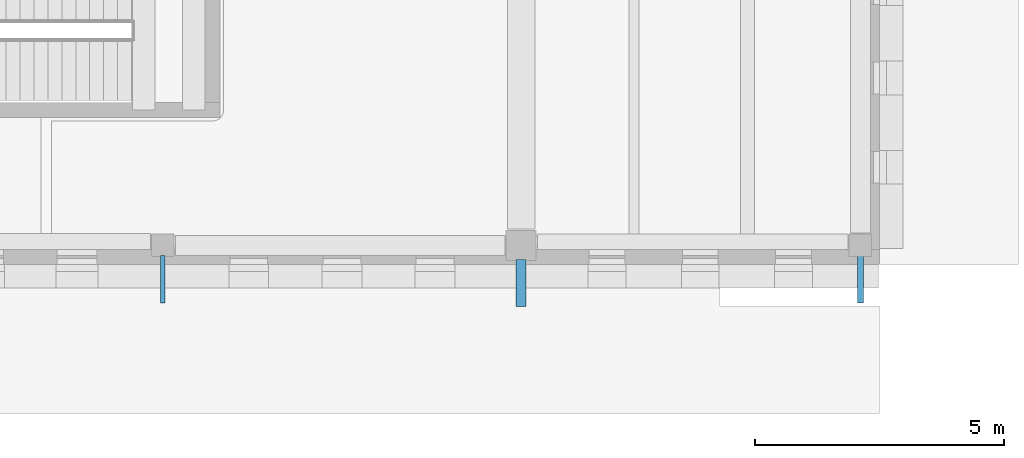
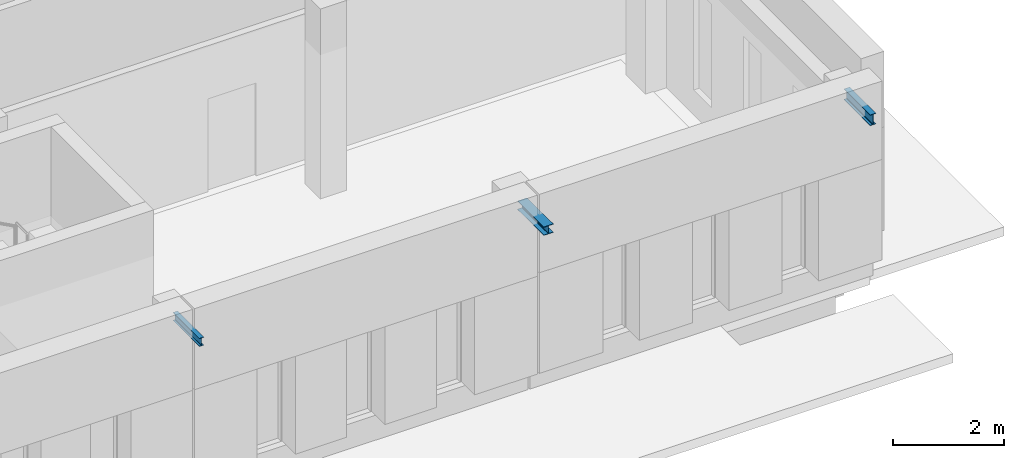
# One storey, part 36 of 77: 3 members.
"""IFC4 building model written with IfcOpenShell, lengths in metres."""

from ifc_helpers import new_model, si_unit, direction, frame, origin, origin_2d, place, context, subcontext, project, spatial, i_section, extrude, material, material_profile, profile_set, type_object, element, save


model = new_model("IFC4")

# Units and contexts
model_context = context("Model", 3, precision=1e-05, world=origin(), true_north=direction((0.0, 1.0)))
body_context = subcontext(model_context, "Body", "Model", "MODEL_VIEW")
ifc_project = project(units=[si_unit("LENGTHUNIT", "METRE"), si_unit("AREAUNIT", "SQUARE_METRE"), si_unit("VOLUMEUNIT", "CUBIC_METRE"), si_unit("PLANEANGLEUNIT", "RADIAN"), si_unit("MASSUNIT", "GRAM", prefix="KILO")], contexts=[model_context])

# Site, building, storey
site_placement = place(None, origin())
site = spatial("IfcSite", under=ifc_project, at=site_placement, CompositionType="ELEMENT")
building_placement = place(site_placement, origin())
building = spatial("IfcBuilding", under=site, at=building_placement, Name="Vardoun Plaza Health Centre", CompositionType="ELEMENT")
storey_placement = place(building_placement, origin())
storey = spatial("IfcBuildingStorey", under=building, at=storey_placement, Name="L00", CompositionType="ELEMENT", Elevation=0.0)

# Members
ifc_material_1 = material(Name="Steel S355J2", Category="steel")
ifc_material_profile_1 = material_profile(ifc_material_1, i_section(OverallWidth=0.1201171875, OverallDepth=0.239990234375, WebThickness=0.006103515625, FlangeThickness=0.009765625, FilletRadius=0.014892578125, at=origin_2d()), Name="IPE 240")
ifc_profile_set_1 = profile_set([ifc_material_profile_1], Name="Steel S355J2")
member_type_1 = type_object("IfcMemberType", Name="CR-01", PredefinedType="RAFTER", material=ifc_profile_set_1)
member_1_placement = place(storey_placement, frame((164.919921875, 4.675048828125, 3.955078125), z_axis=(0.0, -1.0, 0.0), x_axis=(1.0, 0.0, 0.0)))
element("IfcMember", 1, at=member_1_placement, inside=storey, type_object=member_type_1, Name="V5 L00 South Facade Shading Fin Arm SH-V5-L00-065", PredefinedType="RAFTER", context=body_context, shape_type="SweptSolid", body=[
    extrude(i_section(OverallWidth=0.1201171875, OverallDepth=0.239990234375, WebThickness=0.006103515625, FlangeThickness=0.009765625, FilletRadius=0.014892578125, at=origin_2d()), origin(), (0.0, 0.0, 1.0), 0.949951171875),
])
ifc_material_2 = material(Name="Steel S355J2", Category="steel")
ifc_material_profile_2 = material_profile(ifc_material_2, i_section(OverallWidth=0.091064453125, OverallDepth=0.179931640625, WebThickness=0.00537109375, FlangeThickness=0.008056640625, FilletRadius=0.009033203125, at=origin_2d()), Name="IPE 180")
ifc_profile_set_2 = profile_set([ifc_material_profile_2], Name="Steel S355J2")
member_type_2 = type_object("IfcMemberType", Name="CR-04", PredefinedType="RAFTER", material=ifc_profile_set_2)
member_2_placement = place(storey_placement, frame((150.89990234375, 4.675048828125, 3.955078125), z_axis=(0.0, -1.0, 0.0), x_axis=(1.0, 0.0, 0.0)))
element("IfcMember", 2, at=member_2_placement, inside=storey, type_object=member_type_2, Name="V5 L00 South Facade Shading Fin Arm SH-V5-L00-063", PredefinedType="RAFTER", context=body_context, shape_type="SweptSolid", body=[
    extrude(i_section(OverallWidth=0.091064453125, OverallDepth=0.179931640625, WebThickness=0.00537109375, FlangeThickness=0.008056640625, FilletRadius=0.009033203125, at=origin_2d()), origin(), (0.0, 0.0, 1.0), 0.949951171875),
])
ifc_material_3 = material(Name="Steel S355J2", Category="steel")
ifc_material_profile_3 = material_profile(ifc_material_3, i_section(OverallWidth=0.199951171875, OverallDepth=0.18994140625, WebThickness=0.006591796875, FlangeThickness=0.010009765625, FilletRadius=0.01806640625, at=origin_2d()), Name="HEA 200")
ifc_profile_set_3 = profile_set([ifc_material_profile_3], Name="Steel S355J2")
member_type_3 = type_object("IfcMemberType", Name="CR-05", PredefinedType="RAFTER", material=ifc_profile_set_3)
member_3_placement = place(storey_placement, frame((158.10009765625, 4.60009765625, 3.955078125), z_axis=(0.0, -1.0, 0.0), x_axis=(1.0, 0.0, 0.0)))
element("IfcMember", 3, at=member_3_placement, inside=storey, type_object=member_type_3, Name="V5 L00 South Facade Shading Fin Arm SH-V5-L00-064", PredefinedType="RAFTER", context=body_context, shape_type="SweptSolid", body=[
    extrude(i_section(OverallWidth=0.199951171875, OverallDepth=0.18994140625, WebThickness=0.006591796875, FlangeThickness=0.010009765625, FilletRadius=0.01806640625, at=origin_2d()), origin(), (0.0, 0.0, 1.0), 0.9501953125),
])

save(model, "model.ifc")
